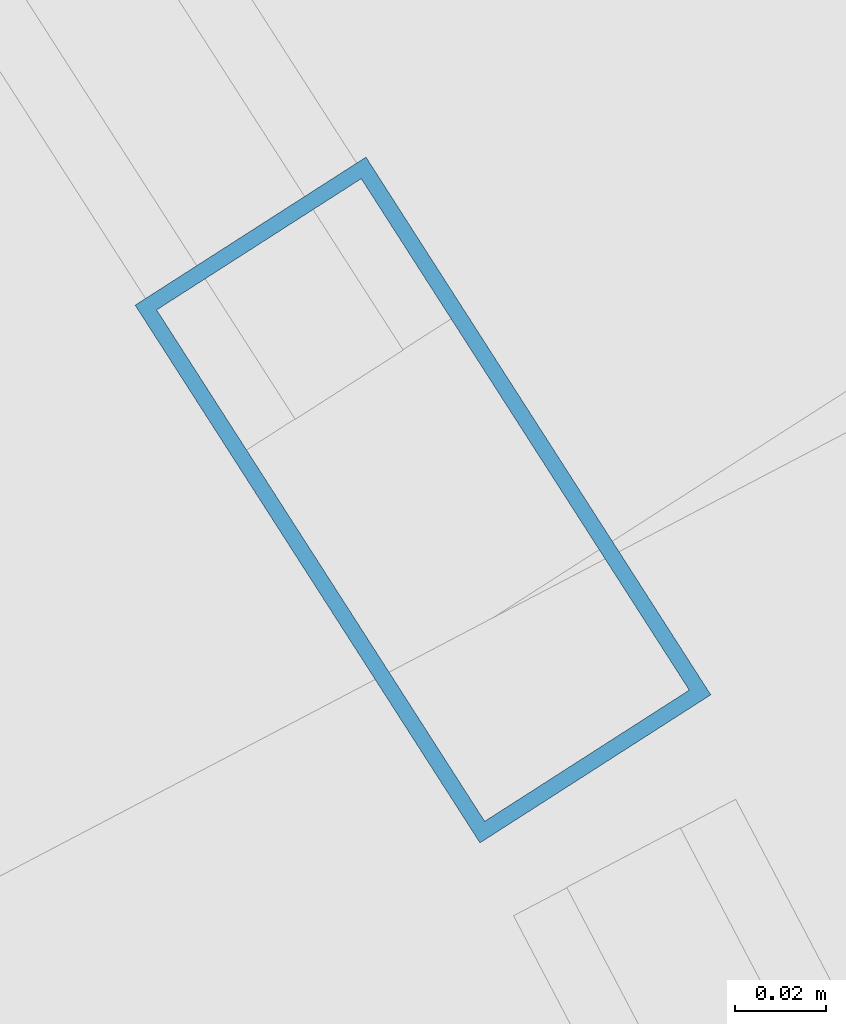
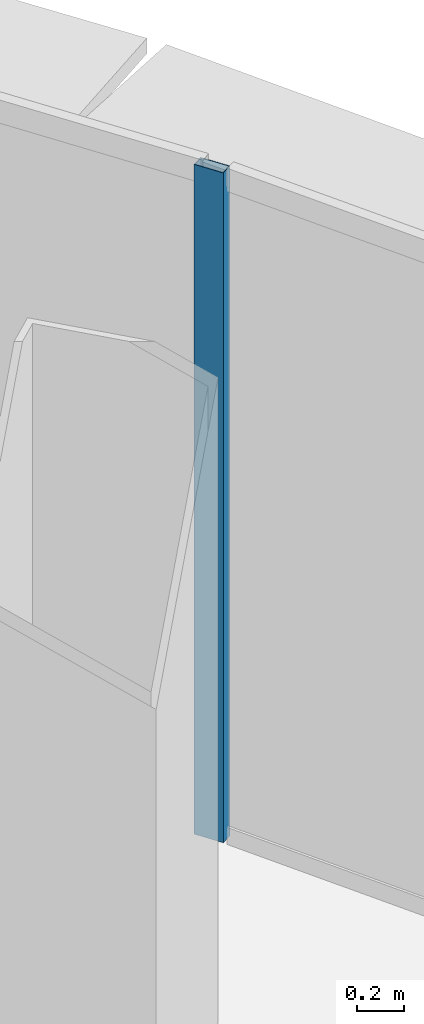
# One storey, part 23 of 37: 1 member, 1 element without a shape of its own.
"""IFC4 building model written with IfcOpenShell, lengths in metres."""

from ifc_helpers import new_model, si_unit, direction, frame, origin, origin_2d, place, context, subcontext, project, spatial, hollow_rectangle, extrude, source, transform, mapped, material, layer, layer_set, material_profile, profile_set, type_object, element, aggregate, save


model = new_model("IFC4")

# Units and contexts
model_context = context("Model", 3, precision=1e-05, world=origin(), true_north=direction((0.0, 1.0)))
body_context = subcontext(model_context, "Body", "Model", "MODEL_VIEW")
ifc_project = project(units=[si_unit("LENGTHUNIT", "METRE"), si_unit("AREAUNIT", "SQUARE_METRE"), si_unit("VOLUMEUNIT", "CUBIC_METRE"), si_unit("PLANEANGLEUNIT", "RADIAN"), si_unit("MASSUNIT", "GRAM", prefix="KILO"), si_unit("THERMODYNAMICTEMPERATUREUNIT", "KELVIN"), si_unit("POWERUNIT", "WATT")], contexts=[model_context])

# Site, building, storey
site_placement = place(None, origin())
site = spatial("IfcSite", under=ifc_project, at=site_placement, CompositionType="ELEMENT")
building_placement = place(site_placement, origin())
building = spatial("IfcBuilding", under=site, at=building_placement, Name="Yunzhuo Pagoda Commons", CompositionType="ELEMENT")
storey_placement = place(building_placement, frame((0.0, 0.0, 259.449951171875)))
storey = spatial("IfcBuildingStorey", under=building, at=storey_placement, Name="L65", CompositionType="ELEMENT", Elevation=259.449951171875)

# Curtain wall, member
ifc_material = material(Name="Anodized aluminium 6063-T6", Category="aluminium")
ifc_layer = layer(ifc_material, 0.139892578125)
ifc_layer_set = layer_set([ifc_layer], Name="Anodized aluminium 6063-T6")
curtain_wall_type = type_object("IfcCurtainWallType", Name="CW-HI High-Zone Ribbon Curtain Wall", PredefinedType="NOTDEFINED", material=ifc_layer_set)
curtain_wall_placement = place(storey_placement, origin())
curtain_wall = element("IfcCurtainWall", 1, at=curtain_wall_placement, inside=storey, type_object=curtain_wall_type, Name="L65 curtain wall CW-L65-F2B4", PredefinedType="NOTDEFINED")
ifc_material_profile = material_profile(ifc_material, hollow_rectangle(XDim=0.06005859375, YDim=0.139892578125, WallThickness=0.00341796875, at=origin_2d()), Name="Anodized aluminium 6063-T6")
ifc_profile_set = profile_set([ifc_material_profile], Name="Anodized aluminium 6063-T6")
member_type = type_object("IfcMemberType", Name="CW-HI-M Mullion RHS 140x60x3.5", PredefinedType="MULLION", material=ifc_profile_set)
shared_shape = source(origin(), body_context, "Body", "SweptSolid", [
    extrude(hollow_rectangle(XDim=0.06005859375, YDim=0.139892578125, WallThickness=0.00341796875, at=origin_2d()), origin(), (0.0, 0.0, 1.0), 3.469970703125),
])
member_placement = place(storey_placement, frame((69.8857421875, 53.44580078125, 0.0), z_axis=(0.0, 0.0, 1.0), x_axis=(-0.841750083847, -0.539867387738, 0.0)))
member = element("IfcMember", 2, at=member_placement, type_object=member_type, Name="CW mullion 1", PredefinedType="MULLION", context=body_context, shape_type="MappedRepresentation", body=[
    mapped(shared_shape, transform((0.0, 0.0, 0.0), scale=1.0)),
])
aggregate(curtain_wall, [member])

save(model, "model.ifc")
